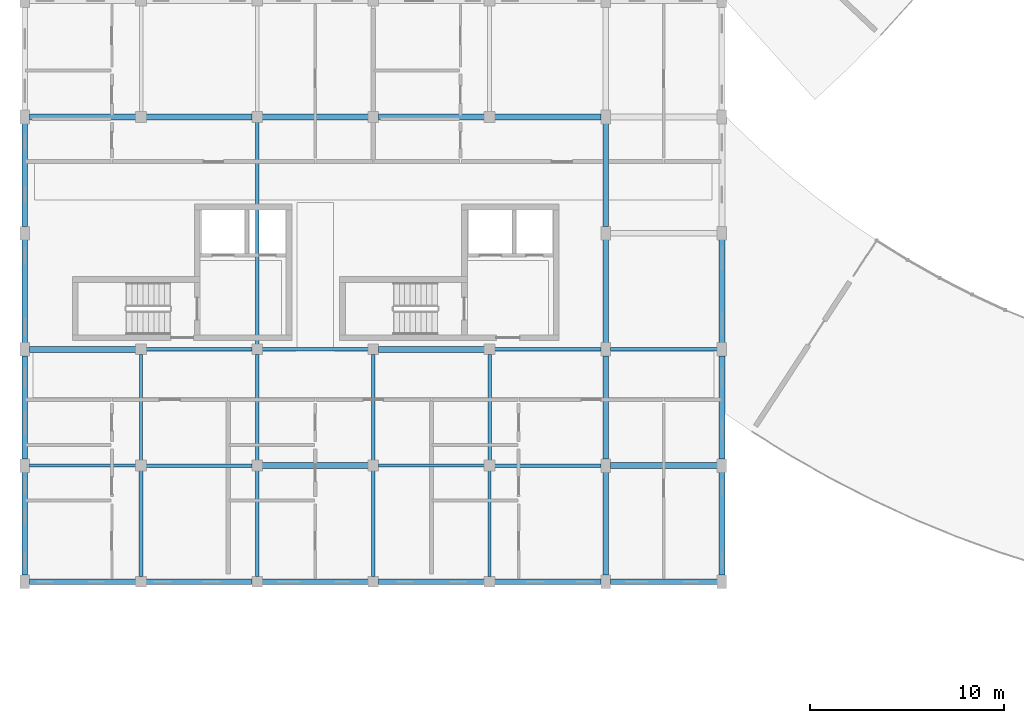
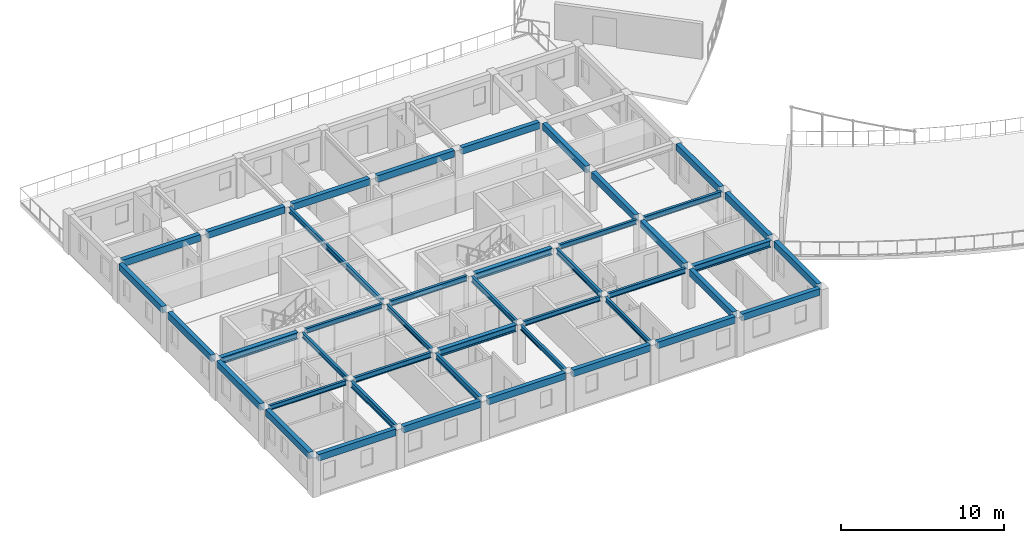
# One storey, part 3 of 58: 43 beams.
"""IFC4 building model written with IfcOpenShell, lengths in metres."""

from ifc_helpers import new_model, si_unit, direction, frame, origin, origin_2d, place, context, subcontext, project, spatial, rectangle, i_section, extrude, material, material_profile, profile_set, type_object, element, save


model = new_model("IFC4")

# Units and contexts
model_context = context("Model", 3, precision=1e-05, world=origin(), true_north=direction((0.0, 1.0)))
body_context = subcontext(model_context, "Body", "Model", "MODEL_VIEW")
ifc_project = project(units=[si_unit("LENGTHUNIT", "METRE"), si_unit("AREAUNIT", "SQUARE_METRE"), si_unit("VOLUMEUNIT", "CUBIC_METRE"), si_unit("PLANEANGLEUNIT", "RADIAN"), si_unit("MASSUNIT", "GRAM", prefix="KILO"), si_unit("POWERUNIT", "WATT"), si_unit("THERMODYNAMICTEMPERATUREUNIT", "KELVIN")], contexts=[model_context])

# Site, building, storey
site_placement = place(None, origin())
site = spatial("IfcSite", under=ifc_project, at=site_placement, CompositionType="ELEMENT")
building_placement = place(site_placement, origin())
building = spatial("IfcBuilding", under=site, at=building_placement, Name="Ruvembo Vaulted Housing Court", CompositionType="ELEMENT")
storey_placement = place(building_placement, frame((0.0, 0.0, 20.5)))
storey = spatial("IfcBuildingStorey", under=building, at=storey_placement, Name="L06", CompositionType="ELEMENT", Elevation=20.5)

# Beams
ifc_material_1 = material(Name="Steel S355J2", Category="steel")
ifc_material_profile_1 = material_profile(ifc_material_1, i_section(OverallWidth=0.300048828125, OverallDepth=0.5, WebThickness=0.014404296875, FlangeThickness=0.028076171875, FilletRadius=0.027099609375, at=origin_2d()), Name="HEB 320")
ifc_profile_set_1 = profile_set([ifc_material_profile_1], Name="Steel S355J2")
beam_type_1 = type_object("IfcBeamType", Name="BM-ST-HEB320", PredefinedType="BEAM", material=ifc_profile_set_1)
beam_1_placement = place(storey_placement, frame((12.260009765625, 12.0, 2.676025390625), z_axis=(1.0, 0.0, 0.0), x_axis=(0.0, 1.0, 0.0)))
element("IfcBeam", 1, at=beam_1_placement, inside=storey, type_object=beam_type_1, Name="L06 Grid Beam X #2567", PredefinedType="BEAM", context=body_context, shape_type="SweptSolid", body=[
    extrude(i_section(OverallWidth=0.300048828125, OverallDepth=0.5, WebThickness=0.014404296875, FlangeThickness=0.028076171875, FilletRadius=0.027099609375, at=origin_2d()), origin(), (0.0, 0.0, 1.0), 5.47998046875),
])
beam_2_placement = place(storey_placement, frame((30.235107421875, 12.0, 2.676025390625), z_axis=(1.0, 0.0, 0.0), x_axis=(0.0, 1.0, 0.0)))
element("IfcBeam", 2, at=beam_2_placement, inside=storey, type_object=beam_type_1, Name="L06 Grid Beam X #2570", PredefinedType="BEAM", context=body_context, shape_type="SweptSolid", body=[
    extrude(i_section(OverallWidth=0.300048828125, OverallDepth=0.5, WebThickness=0.014404296875, FlangeThickness=0.028076171875, FilletRadius=0.027099609375, at=origin_2d()), origin(), (0.0, 0.0, 1.0), 5.52978515625),
])
beam_3_placement = place(storey_placement, frame((0.235107421875, 18.0, 2.676025390625), z_axis=(1.0, 0.0, 0.0), x_axis=(0.0, 1.0, 0.0)))
element("IfcBeam", 3, at=beam_3_placement, inside=storey, type_object=beam_type_1, Name="L06 Grid Beam X #2576", PredefinedType="BEAM", context=body_context, shape_type="SweptSolid", body=[
    extrude(i_section(OverallWidth=0.300048828125, OverallDepth=0.5, WebThickness=0.014404296875, FlangeThickness=0.028076171875, FilletRadius=0.027099609375, at=origin_2d()), origin(), (0.0, 0.0, 1.0), 5.5048828125),
])
beam_4_placement = place(storey_placement, frame((18.260009765625, 18.0, 2.676025390625), z_axis=(1.0, 0.0, 0.0), x_axis=(0.0, 1.0, 0.0)))
element("IfcBeam", 4, at=beam_4_placement, inside=storey, type_object=beam_type_1, Name="L06 Grid Beam X #2579", PredefinedType="BEAM", context=body_context, shape_type="SweptSolid", body=[
    extrude(i_section(OverallWidth=0.300048828125, OverallDepth=0.5, WebThickness=0.014404296875, FlangeThickness=0.028076171875, FilletRadius=0.027099609375, at=origin_2d()), origin(), (0.0, 0.0, 1.0), 5.47998046875),
])
ifc_material_profile_2 = material_profile(ifc_material_1, i_section(OverallWidth=0.169921875, OverallDepth=0.360107421875, WebThickness=0.008056640625, FlangeThickness=0.0126953125, FilletRadius=0.01806640625, at=origin_2d()), Name="IPE 360")
ifc_profile_set_2 = profile_set([ifc_material_profile_2], Name="Steel S355J2")
beam_type_2 = type_object("IfcBeamType", Name="BM-ST-IPE360", PredefinedType="BEAM", material=ifc_profile_set_2)
beam_5_placement = place(storey_placement, frame((0.235107421875, 12.0, 2.74609375), z_axis=(1.0, 0.0, 0.0), x_axis=(0.0, 1.0, 0.0)))
element("IfcBeam", 5, at=beam_5_placement, inside=storey, type_object=beam_type_2, Name="L06 Grid Beam X #2565", PredefinedType="BEAM", context=body_context, shape_type="SweptSolid", body=[
    extrude(i_section(OverallWidth=0.169921875, OverallDepth=0.360107421875, WebThickness=0.008056640625, FlangeThickness=0.0126953125, FilletRadius=0.01806640625, at=origin_2d()), origin(), (0.0, 0.0, 1.0), 5.5048828125),
])
for number, where, z_axis, x_axis, name in (
    (6, (18.260009765625, 12.0, 2.74609375), (1.0, 0.0, 0.0), (0.0, 1.0, 0.0), "L06 Grid Beam X #2568"),
    (7, (6.260009765625, 18.0, 2.74609375), (1.0, 0.0, 0.0), (0.0, 1.0, 0.0), "L06 Grid Beam X #2577"),
):
    element("IfcBeam", number, at=place(storey_placement, frame(where, z_axis=z_axis, x_axis=x_axis)), inside=storey, type_object=beam_type_2, Name=name, PredefinedType="BEAM", context=body_context, shape_type="SweptSolid", body=[
        extrude(i_section(OverallWidth=0.169921875, OverallDepth=0.360107421875, WebThickness=0.008056640625, FlangeThickness=0.0126953125, FilletRadius=0.01806640625, at=origin_2d()), origin(), (0.0, 0.0, 1.0), 5.47998046875),
    ])
beam_6_placement = place(storey_placement, frame((24.260009765625, 18.0, 2.74609375), z_axis=(1.0, 0.0, 0.0), x_axis=(0.0, 1.0, 0.0)))
element("IfcBeam", 8, at=beam_6_placement, inside=storey, type_object=beam_type_2, Name="L06 Grid Beam X #2580", PredefinedType="BEAM", context=body_context, shape_type="SweptSolid", body=[
    extrude(i_section(OverallWidth=0.169921875, OverallDepth=0.360107421875, WebThickness=0.008056640625, FlangeThickness=0.0126953125, FilletRadius=0.01806640625, at=origin_2d()), origin(), (0.0, 0.0, 1.0), 5.5048828125),
])
for number, where, z_axis, x_axis, name in (
    (9, (6.0, 12.260009765625, 2.74609375), (0.0, 1.0, 0.0), (-1.0, 0.0, 0.0), "L06 Grid Beam Y #2673"),
    (10, (12.0, 12.260009765625, 2.74609375), (0.0, 1.0, 0.0), (-1.0, 0.0, 0.0), "L06 Grid Beam Y #2676"),
    (11, (18.0, 6.260009765625, 2.74609375), (0.0, 1.0, 0.0), (-1.0, 0.0, 0.0), "L06 Grid Beam Y #2679"),
    (12, (24.0, 6.260009765625, 2.74609375), (0.0, 1.0, 0.0), (-1.0, 0.0, 0.0), "L06 Grid Beam Y #2682"),
):
    element("IfcBeam", number, at=place(storey_placement, frame(where, z_axis=z_axis, x_axis=x_axis)), inside=storey, type_object=beam_type_2, Name=name, PredefinedType="BEAM", context=body_context, shape_type="SweptSolid", body=[
        extrude(i_section(OverallWidth=0.169921875, OverallDepth=0.360107421875, WebThickness=0.008056640625, FlangeThickness=0.0126953125, FilletRadius=0.01806640625, at=origin_2d()), origin(), (0.0, 0.0, 1.0), 5.47998046875),
    ])
ifc_material_profile_3 = material_profile(ifc_material_1, i_section(OverallWidth=0.179931640625, OverallDepth=0.39990234375, WebThickness=0.008544921875, FlangeThickness=0.013427734375, FilletRadius=0.02099609375, at=origin_2d()), Name="IPE 400")
ifc_profile_set_3 = profile_set([ifc_material_profile_3], Name="Steel S355J2")
beam_type_3 = type_object("IfcBeamType", Name="BM-ST-IPE400", PredefinedType="BEAM", material=ifc_profile_set_3)
beam_7_placement = place(storey_placement, frame((6.260009765625, 12.0, 2.72607421875), z_axis=(1.0, 0.0, 0.0), x_axis=(0.0, 1.0, 0.0)))
element("IfcBeam", 13, at=beam_7_placement, inside=storey, type_object=beam_type_3, Name="L06 Grid Beam X #2566", PredefinedType="BEAM", context=body_context, shape_type="SweptSolid", body=[
    extrude(i_section(OverallWidth=0.179931640625, OverallDepth=0.39990234375, WebThickness=0.008544921875, FlangeThickness=0.013427734375, FilletRadius=0.02099609375, at=origin_2d()), origin(), (0.0, 0.0, 1.0), 5.47998046875),
])
beam_8_placement = place(storey_placement, frame((24.260009765625, 12.0, 2.72607421875), z_axis=(1.0, 0.0, 0.0), x_axis=(0.0, 1.0, 0.0)))
element("IfcBeam", 14, at=beam_8_placement, inside=storey, type_object=beam_type_3, Name="L06 Grid Beam X #2569", PredefinedType="BEAM", context=body_context, shape_type="SweptSolid", body=[
    extrude(i_section(OverallWidth=0.179931640625, OverallDepth=0.39990234375, WebThickness=0.008544921875, FlangeThickness=0.013427734375, FilletRadius=0.02099609375, at=origin_2d()), origin(), (0.0, 0.0, 1.0), 5.5048828125),
])
beam_9_placement = place(storey_placement, frame((12.260009765625, 18.0, 2.72607421875), z_axis=(1.0, 0.0, 0.0), x_axis=(0.0, 1.0, 0.0)))
element("IfcBeam", 15, at=beam_9_placement, inside=storey, type_object=beam_type_3, Name="L06 Grid Beam X #2578", PredefinedType="BEAM", context=body_context, shape_type="SweptSolid", body=[
    extrude(i_section(OverallWidth=0.179931640625, OverallDepth=0.39990234375, WebThickness=0.008544921875, FlangeThickness=0.013427734375, FilletRadius=0.02099609375, at=origin_2d()), origin(), (0.0, 0.0, 1.0), 5.47998046875),
])
beam_10_placement = place(storey_placement, frame((30.235107421875, 18.0, 2.72607421875), z_axis=(1.0, 0.0, 0.0), x_axis=(0.0, 1.0, 0.0)))
element("IfcBeam", 16, at=beam_10_placement, inside=storey, type_object=beam_type_3, Name="L06 Grid Beam X #2581", PredefinedType="BEAM", context=body_context, shape_type="SweptSolid", body=[
    extrude(i_section(OverallWidth=0.179931640625, OverallDepth=0.39990234375, WebThickness=0.008544921875, FlangeThickness=0.013427734375, FilletRadius=0.02099609375, at=origin_2d()), origin(), (0.0, 0.0, 1.0), 5.52978515625),
])
beam_11_placement = place(storey_placement, frame((12.0, 18.260009765625, 2.72607421875), z_axis=(0.0, 1.0, 0.0), x_axis=(-1.0, 0.0, 0.0)))
element("IfcBeam", 17, at=beam_11_placement, inside=storey, type_object=beam_type_3, Name="L06 Grid Beam Y #2677", PredefinedType="BEAM", context=body_context, shape_type="SweptSolid", body=[
    extrude(i_section(OverallWidth=0.179931640625, OverallDepth=0.39990234375, WebThickness=0.008544921875, FlangeThickness=0.013427734375, FilletRadius=0.02099609375, at=origin_2d()), origin(), (0.0, 0.0, 1.0), 11.47998046875),
])
for number, where, z_axis, x_axis, name in (
    (18, (18.0, 12.260009765625, 2.72607421875), (0.0, 1.0, 0.0), (-1.0, 0.0, 0.0), "L06 Grid Beam Y #2680"),
    (19, (24.0, 12.260009765625, 2.72607421875), (0.0, 1.0, 0.0), (-1.0, 0.0, 0.0), "L06 Grid Beam Y #2683"),
):
    element("IfcBeam", number, at=place(storey_placement, frame(where, z_axis=z_axis, x_axis=x_axis)), inside=storey, type_object=beam_type_3, Name=name, PredefinedType="BEAM", context=body_context, shape_type="SweptSolid", body=[
        extrude(i_section(OverallWidth=0.179931640625, OverallDepth=0.39990234375, WebThickness=0.008544921875, FlangeThickness=0.013427734375, FilletRadius=0.02099609375, at=origin_2d()), origin(), (0.0, 0.0, 1.0), 5.47998046875),
    ])
ifc_material_profile_4 = material_profile(ifc_material_1, i_section(OverallWidth=0.18994140625, OverallDepth=0.449951171875, WebThickness=0.009521484375, FlangeThickness=0.0146484375, FilletRadius=0.02099609375, at=origin_2d()), Name="IPE 450")
ifc_profile_set_4 = profile_set([ifc_material_profile_4], Name="Steel S355J2")
beam_type_4 = type_object("IfcBeamType", Name="BM-ST-IPE450", PredefinedType="BEAM", material=ifc_profile_set_4)
for number, where, z_axis, x_axis, name in (
    (20, (6.0, 6.260009765625, 2.700927734375), (0.0, 1.0, 0.0), (-1.0, 0.0, 0.0), "L06 Grid Beam Y #2672"),
    (21, (12.0, 6.260009765625, 2.700927734375), (0.0, 1.0, 0.0), (-1.0, 0.0, 0.0), "L06 Grid Beam Y #2675"),
):
    element("IfcBeam", number, at=place(storey_placement, frame(where, z_axis=z_axis, x_axis=x_axis)), inside=storey, type_object=beam_type_4, Name=name, PredefinedType="BEAM", context=body_context, shape_type="SweptSolid", body=[
        extrude(i_section(OverallWidth=0.18994140625, OverallDepth=0.449951171875, WebThickness=0.009521484375, FlangeThickness=0.0146484375, FilletRadius=0.02099609375, at=origin_2d()), origin(), (0.0, 0.0, 1.0), 5.47998046875),
    ])
ifc_material_2 = material(Name="Concrete C35/45", Category="concrete")
ifc_material_profile_5 = material_profile(ifc_material_2, rectangle(XDim=0.300048828125, YDim=0.5, at=origin_2d()), Name="RC 300x500")
ifc_profile_set_5 = profile_set([ifc_material_profile_5], Name="Concrete C35/45")
beam_type_5 = type_object("IfcBeamType", Name="SP-RC-300x500", PredefinedType="SPANDREL", material=ifc_profile_set_5)
beam_12_placement = place(storey_placement, frame((0.235107421875, 6.0, 2.719970703125), z_axis=(1.0, 0.0, 0.0), x_axis=(0.0, 1.0, 0.0)))
element("IfcBeam", 22, at=beam_12_placement, inside=storey, type_object=beam_type_5, Name="L06 Grid Beam X #2554", PredefinedType="SPANDREL", context=body_context, shape_type="SweptSolid", body=[
    extrude(rectangle(XDim=0.300048828125, YDim=0.5, at=origin_2d()), origin(), (0.0, 0.0, 1.0), 5.5048828125),
])
for number, where, z_axis, x_axis, name in (
    (23, (6.260009765625, 6.0, 2.719970703125), (1.0, 0.0, 0.0), (0.0, 1.0, 0.0), "L06 Grid Beam X #2555"),
    (24, (12.260009765625, 6.0, 2.719970703125), (1.0, 0.0, 0.0), (0.0, 1.0, 0.0), "L06 Grid Beam X #2556"),
    (25, (18.260009765625, 6.0, 2.719970703125), (1.0, 0.0, 0.0), (0.0, 1.0, 0.0), "L06 Grid Beam X #2557"),
):
    element("IfcBeam", number, at=place(storey_placement, frame(where, z_axis=z_axis, x_axis=x_axis)), inside=storey, type_object=beam_type_5, Name=name, PredefinedType="SPANDREL", context=body_context, shape_type="SweptSolid", body=[
        extrude(rectangle(XDim=0.300048828125, YDim=0.5, at=origin_2d()), origin(), (0.0, 0.0, 1.0), 5.47998046875),
    ])
beam_13_placement = place(storey_placement, frame((24.260009765625, 6.0, 2.719970703125), z_axis=(1.0, 0.0, 0.0), x_axis=(0.0, 1.0, 0.0)))
element("IfcBeam", 26, at=beam_13_placement, inside=storey, type_object=beam_type_5, Name="L06 Grid Beam X #2558", PredefinedType="SPANDREL", context=body_context, shape_type="SweptSolid", body=[
    extrude(rectangle(XDim=0.300048828125, YDim=0.5, at=origin_2d()), origin(), (0.0, 0.0, 1.0), 5.5048828125),
])
beam_14_placement = place(storey_placement, frame((30.235107421875, 6.0, 2.719970703125), z_axis=(1.0, 0.0, 0.0), x_axis=(0.0, 1.0, 0.0)))
element("IfcBeam", 27, at=beam_14_placement, inside=storey, type_object=beam_type_5, Name="L06 Grid Beam X #2559", PredefinedType="SPANDREL", context=body_context, shape_type="SweptSolid", body=[
    extrude(rectangle(XDim=0.300048828125, YDim=0.5, at=origin_2d()), origin(), (0.0, 0.0, 1.0), 5.52978515625),
])
beam_15_placement = place(storey_placement, frame((0.235107421875, 30.0, 2.719970703125), z_axis=(1.0, 0.0, 0.0), x_axis=(0.0, 1.0, 0.0)))
element("IfcBeam", 28, at=beam_15_placement, inside=storey, type_object=beam_type_5, Name="L06 Grid Beam X #2588", PredefinedType="SPANDREL", context=body_context, shape_type="SweptSolid", body=[
    extrude(rectangle(XDim=0.300048828125, YDim=0.5, at=origin_2d()), origin(), (0.0, 0.0, 1.0), 5.5048828125),
])
for number, where, z_axis, x_axis, name in (
    (29, (6.260009765625, 30.0, 2.719970703125), (1.0, 0.0, 0.0), (0.0, 1.0, 0.0), "L06 Grid Beam X #2589"),
    (30, (12.260009765625, 30.0, 2.719970703125), (1.0, 0.0, 0.0), (0.0, 1.0, 0.0), "L06 Grid Beam X #2590"),
    (31, (18.260009765625, 30.0, 2.719970703125), (1.0, 0.0, 0.0), (0.0, 1.0, 0.0), "L06 Grid Beam X #2591"),
):
    element("IfcBeam", number, at=place(storey_placement, frame(where, z_axis=z_axis, x_axis=x_axis)), inside=storey, type_object=beam_type_5, Name=name, PredefinedType="SPANDREL", context=body_context, shape_type="SweptSolid", body=[
        extrude(rectangle(XDim=0.300048828125, YDim=0.5, at=origin_2d()), origin(), (0.0, 0.0, 1.0), 5.47998046875),
    ])
beam_16_placement = place(storey_placement, frame((24.260009765625, 30.0, 2.719970703125), z_axis=(1.0, 0.0, 0.0), x_axis=(0.0, 1.0, 0.0)))
element("IfcBeam", 32, at=beam_16_placement, inside=storey, type_object=beam_type_5, Name="L06 Grid Beam X #2592", PredefinedType="SPANDREL", context=body_context, shape_type="SweptSolid", body=[
    extrude(rectangle(XDim=0.300048828125, YDim=0.5, at=origin_2d()), origin(), (0.0, 0.0, 1.0), 5.5048828125),
])
for number, where, z_axis, x_axis, name in (
    (33, (0.0, 6.3349609375, 2.719970703125), (0.0, 1.0, 0.0), (-1.0, 0.0, 0.0), "L06 Grid Beam Y #2667"),
    (34, (0.0, 12.3349609375, 2.719970703125), (0.0, 1.0, 0.0), (-1.0, 0.0, 0.0), "L06 Grid Beam Y #2668"),
    (35, (0.0, 18.3349609375, 2.719970703125), (0.0, 1.0, 0.0), (-1.0, 0.0, 0.0), "L06 Grid Beam Y #2669"),
    (36, (0.0, 24.3349609375, 2.719970703125), (0.0, 1.0, 0.0), (-1.0, 0.0, 0.0), "L06 Grid Beam Y #2670"),
    (37, (30.0, 6.3349609375, 2.719970703125), (0.0, 1.0, 0.0), (-1.0, 0.0, 0.0), "L06 Grid Beam Y #2685"),
    (38, (30.0, 12.3349609375, 2.719970703125), (0.0, 1.0, 0.0), (-1.0, 0.0, 0.0), "L06 Grid Beam Y #2686"),
    (39, (30.0, 18.3349609375, 2.719970703125), (0.0, 1.0, 0.0), (-1.0, 0.0, 0.0), "L06 Grid Beam Y #2687"),
    (40, (30.0, 24.3349609375, 2.719970703125), (0.0, 1.0, 0.0), (-1.0, 0.0, 0.0), "L06 Grid Beam Y #2688"),
    (41, (36.0, 6.3349609375, 2.719970703125), (0.0, 1.0, 0.0), (-1.0, 0.0, 0.0), "L06 Grid Beam Y #2690"),
    (42, (36.0, 12.3349609375, 2.719970703125), (0.0, 1.0, 0.0), (-1.0, 0.0, 0.0), "L06 Grid Beam Y #2691"),
    (43, (36.0, 18.3349609375, 2.719970703125), (0.0, 1.0, 0.0), (-1.0, 0.0, 0.0), "L06 Grid Beam Y #2692"),
):
    element("IfcBeam", number, at=place(storey_placement, frame(where, z_axis=z_axis, x_axis=x_axis)), inside=storey, type_object=beam_type_5, Name=name, PredefinedType="SPANDREL", context=body_context, shape_type="SweptSolid", body=[
        extrude(rectangle(XDim=0.300048828125, YDim=0.5, at=origin_2d()), origin(), (0.0, 0.0, 1.0), 5.330078125),
    ])

save(model, "model.ifc")
